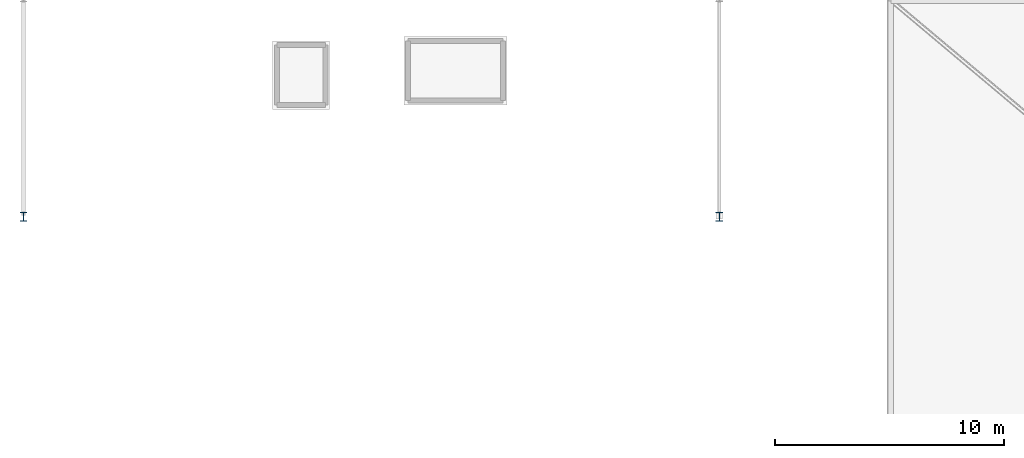
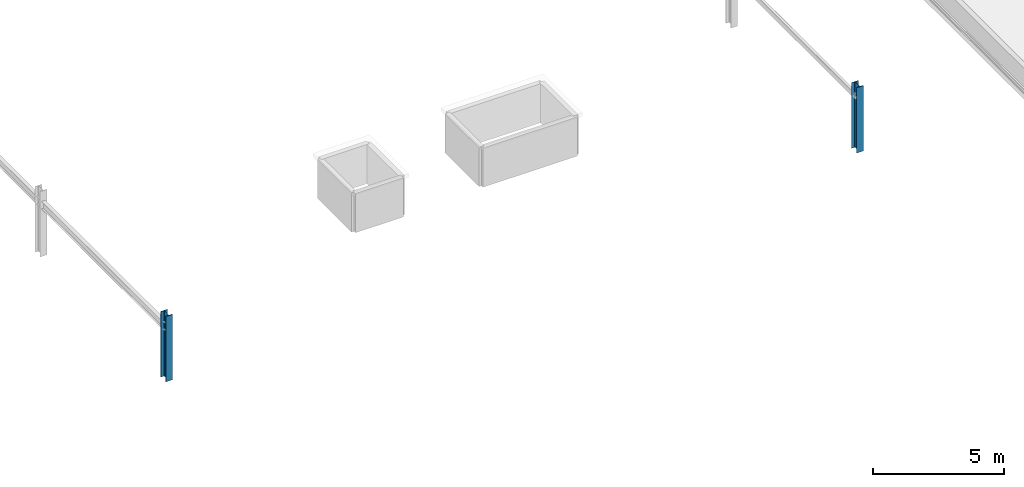
# One storey, part 1 of 25: 2 columns.
"""IFC4 building model written with IfcOpenShell, lengths in metres."""

from ifc_helpers import new_model, si_unit, direction, frame, origin, origin_2d, place, context, subcontext, project, spatial, i_section, extrude, material, material_profile, profile_set, type_object, element, save


model = new_model("IFC4")

# Units and contexts
model_context = context("Model", 3, precision=1e-05, world=origin(), true_north=direction((0.0, 1.0)))
body_context = subcontext(model_context, "Body", "Model", "MODEL_VIEW")
ifc_project = project(units=[si_unit("LENGTHUNIT", "METRE"), si_unit("AREAUNIT", "SQUARE_METRE"), si_unit("VOLUMEUNIT", "CUBIC_METRE"), si_unit("PLANEANGLEUNIT", "RADIAN"), si_unit("MASSUNIT", "GRAM", prefix="KILO")], contexts=[model_context])

# Site, building, storey
site_placement = place(None, origin())
site = spatial("IfcSite", under=ifc_project, at=site_placement, CompositionType="ELEMENT")
building_placement = place(site_placement, origin())
building = spatial("IfcBuilding", under=site, at=building_placement, Name="Myrtia Square Station", CompositionType="ELEMENT")
storey_placement = place(building_placement, frame((0.0, 0.0, 18.89990234375)))
storey = spatial("IfcBuildingStorey", under=building, at=storey_placement, Name="L04", CompositionType="ELEMENT", Elevation=18.89990234375)

# Columns
ifc_material = material(Name="Steel S355", Category="steel")
ifc_material_profile = material_profile(ifc_material, i_section(OverallWidth=0.300048828125, OverallDepth=0.39990234375, WebThickness=0.013427734375, FlangeThickness=0.02392578125, FilletRadius=0.027099609375, at=origin_2d()), Name="HEB 400")
ifc_profile_set = profile_set([ifc_material_profile], Name="Steel S355")
column_type = type_object("IfcColumnType", Name="COL-HEB400", PredefinedType="COLUMN", material=ifc_profile_set)
for number, where, z_axis, x_axis, name in (
    (1, (79.35009765625, 28.800048828125, 0.0), (0.0, 0.0, 1.0), (1.0, 0.0, 0.0), "Column L04-0256"),
    (2, (109.800048828125, 28.800048828125, 0.0), (0.0, 0.0, 1.0), (1.0, 0.0, 0.0), "Column L04-0262"),
):
    element("IfcColumn", number, at=place(storey_placement, frame(where, z_axis=z_axis, x_axis=x_axis)), inside=storey, type_object=column_type, Name=name, PredefinedType="COLUMN", context=body_context, shape_type="SweptSolid", body=[
        extrude(i_section(OverallWidth=0.300048828125, OverallDepth=0.39990234375, WebThickness=0.013427734375, FlangeThickness=0.02392578125, FilletRadius=0.027099609375, at=origin_2d()), origin(), (0.0, 0.0, 1.0), 3.050048828125),
    ])

save(model, "model.ifc")
